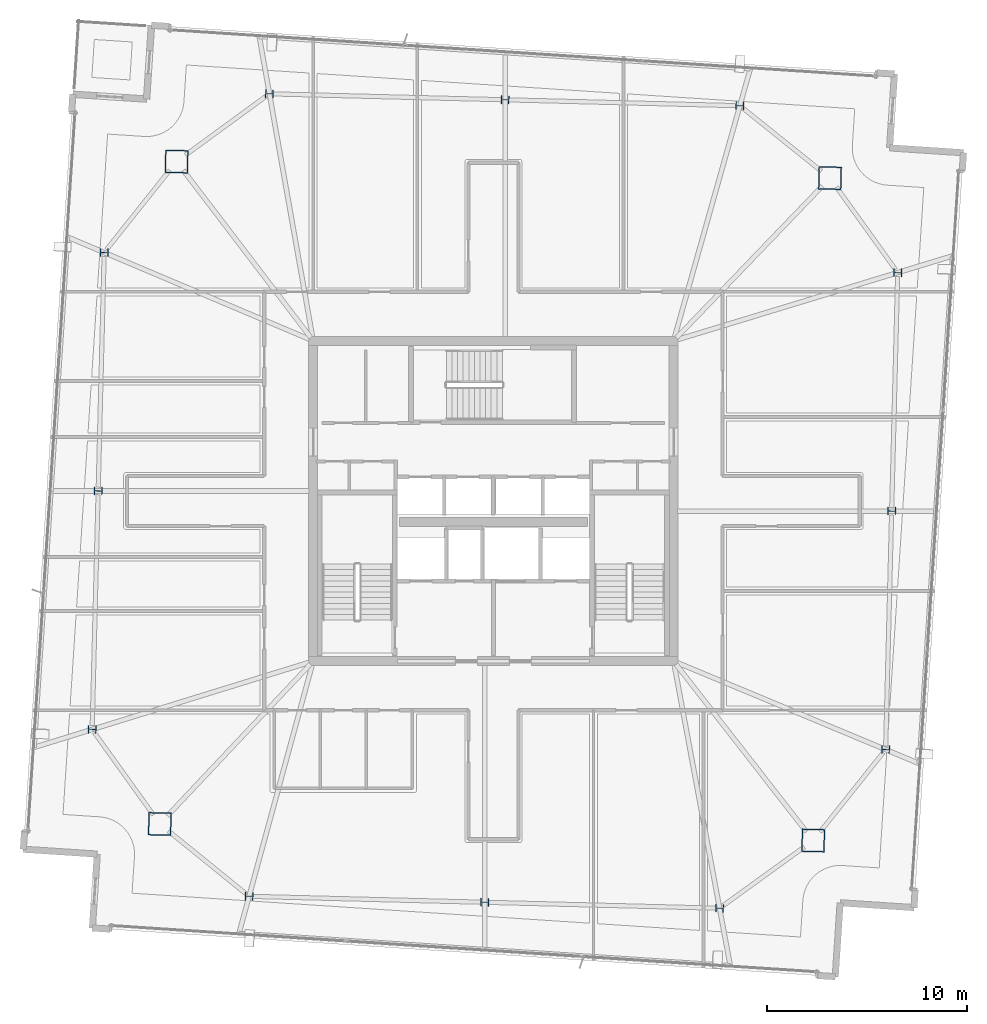
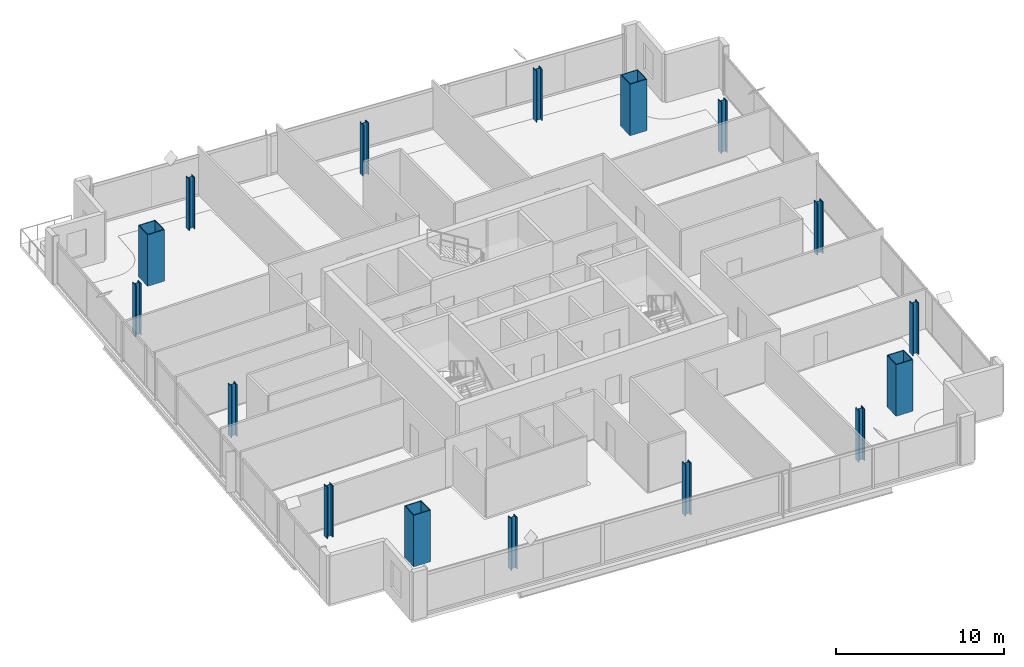
# One storey, part 1 of 24: 16 columns.
"""IFC4 building model written with IfcOpenShell, lengths in metres."""

from ifc_helpers import new_model, si_unit, direction, frame, origin, origin_2d, place, context, subcontext, project, spatial, hollow_rectangle, i_section, extrude, material, material_profile, profile_set, type_object, element, save


model = new_model("IFC4")

# Units and contexts
model_context = context("Model", 3, precision=1e-05, world=origin(), true_north=direction((0.0, 1.0)))
body_context = subcontext(model_context, "Body", "Model", "MODEL_VIEW")
ifc_project = project(units=[si_unit("LENGTHUNIT", "METRE"), si_unit("AREAUNIT", "SQUARE_METRE"), si_unit("VOLUMEUNIT", "CUBIC_METRE"), si_unit("PLANEANGLEUNIT", "RADIAN"), si_unit("MASSUNIT", "GRAM", prefix="KILO")], contexts=[model_context])

# Site, building, storey
site_placement = place(None, origin())
site = spatial("IfcSite", under=ifc_project, at=site_placement, CompositionType="ELEMENT")
building_placement = place(site_placement, origin())
building = spatial("IfcBuilding", under=site, at=building_placement, Name="Haldenkirk Collegiate Tower", CompositionType="ELEMENT")
storey_placement = place(building_placement, frame((0.0, 0.0, 317.699951171875)))
storey = spatial("IfcBuildingStorey", under=building, at=storey_placement, Name="L80", CompositionType="ELEMENT", Elevation=317.699951171875)

# Columns
ifc_material_1 = material(Name="Steel ASTM A913 Grade 65", Category="steel")
ifc_material_profile_1 = material_profile(ifc_material_1, i_section(OverallWidth=0.406005859375, OverallDepth=0.416015625, WebThickness=0.02978515625, FlangeThickness=0.048095703125, at=origin_2d()), Name="W14X257")
ifc_profile_set_1 = profile_set([ifc_material_profile_1], Name="Steel ASTM A913 Grade 65")
column_type_1 = type_object("IfcColumnType", Name="COL-INT-W14X257", PredefinedType="COLUMN", material=ifc_profile_set_1)
for number, where, z_axis, x_axis, name in (
    (1, (55.592041015625, 13.584228515625, 0.0), (0.0, 0.0, 1.0), (0.025304572866, 0.999679788028, 0.0), "L80 perimeter gravity column PC-S1"),
    (2, (55.8935546875, 25.496337890625, 0.0), (0.0, 0.0, 1.0), (0.025304572866, 0.999679788028, 0.0), "L80 perimeter gravity column PC-S2"),
    (3, (56.1953125, 37.40869140625, 0.0), (0.0, 0.0, 1.0), (0.025304572866, 0.999679788028, 0.0), "L80 perimeter gravity column PC-S3"),
    (4, (48.3115234375, 45.744873046875, 0.0), (0.0, 0.0, 1.0), (0.025304572866, 0.999679788028, 0.0), "L80 perimeter gravity column PC-E1"),
    (5, (36.582275390625, 46.041748046875, 0.0), (0.0, 0.0, 1.0), (0.025304572866, 0.999679788028, 0.0), "L80 perimeter gravity column PC-E2"),
    (6, (24.81103515625, 46.339599609375, 0.0), (0.0, 0.0, 1.0), (0.025304572866, 0.999679788028, 0.0), "L80 perimeter gravity column PC-E3"),
    (7, (16.557861328125, 38.411865234375, 0.0), (0.0, 0.0, 1.0), (0.025304572866, 0.999679788028, 0.0), "L80 perimeter gravity column PC-N1"),
    (8, (16.25634765625, 26.499755859375, 0.0), (0.0, 0.0, 1.0), (0.025304572866, 0.999679788028, 0.0), "L80 perimeter gravity column PC-N2"),
    (9, (15.954833984375, 14.587646484375, 0.0), (0.0, 0.0, 1.0), (0.025304572866, 0.999679788028, 0.0), "L80 perimeter gravity column PC-N3"),
    (10, (23.79638671875, 6.25244140625, 0.0), (0.0, 0.0, 1.0), (0.025304572866, 0.999679788028, 0.0), "L80 perimeter gravity column PC-W1"),
    (11, (35.567626953125, 5.95458984375, 0.0), (0.0, 0.0, 1.0), (0.025304572866, 0.999679788028, 0.0), "L80 perimeter gravity column PC-W2"),
    (12, (47.296875, 5.65771484375, 0.0), (0.0, 0.0, 1.0), (0.025304572866, 0.999679788028, 0.0), "L80 perimeter gravity column PC-W3"),
):
    element("IfcColumn", number, at=place(storey_placement, frame(where, z_axis=z_axis, x_axis=x_axis)), inside=storey, type_object=column_type_1, Name=name, PredefinedType="COLUMN", context=body_context, shape_type="SweptSolid", body=[
        extrude(i_section(OverallWidth=0.406005859375, OverallDepth=0.416015625, WebThickness=0.02978515625, FlangeThickness=0.048095703125, at=origin_2d()), origin(), (0.0, 0.0, 1.0), 3.75),
    ])
ifc_material_2 = material(Name="Steel ASTM A572 Grade 50", Category="steel")
ifc_material_profile_2 = material_profile(ifc_material_2, hollow_rectangle(XDim=1.14990234375, YDim=1.14990234375, WallThickness=0.050048828125, at=origin_2d()), Name="BOX1150X1150X50")
ifc_profile_set_2 = profile_set([ifc_material_profile_2], Name="Steel ASTM A572 Grade 50")
column_type_2 = type_object("IfcColumnType", Name="COL-MEGA-BOX1150X1150X50", PredefinedType="COLUMN", material=ifc_profile_set_2)
for number, where, z_axis, x_axis, name in (
    (13, (51.97607421875, 9.040283203125, 0.0), (0.0, 0.0, 1.0), (0.025304572866, 0.999679788028, 0.0), "L80 corner mega-column MC1"),
    (14, (52.8134765625, 42.129638671875, 0.0), (0.0, 0.0, 1.0), (0.025304572866, 0.999679788028, 0.0), "L80 corner mega-column MC2"),
    (15, (20.174072265625, 42.955810546875, 0.0), (0.0, 0.0, 1.0), (0.025304572866, 0.999679788028, 0.0), "L80 corner mega-column MC3"),
    (16, (19.33642578125, 9.866455078125, 0.0), (0.0, 0.0, 1.0), (0.025304572866, 0.999679788028, 0.0), "L80 corner mega-column MC4"),
):
    element("IfcColumn", number, at=place(storey_placement, frame(where, z_axis=z_axis, x_axis=x_axis)), inside=storey, type_object=column_type_2, Name=name, PredefinedType="COLUMN", context=body_context, shape_type="SweptSolid", body=[
        extrude(hollow_rectangle(XDim=1.14990234375, YDim=1.14990234375, WallThickness=0.050048828125, at=origin_2d()), origin(), (0.0, 0.0, 1.0), 3.75),
    ])

save(model, "model.ifc")
